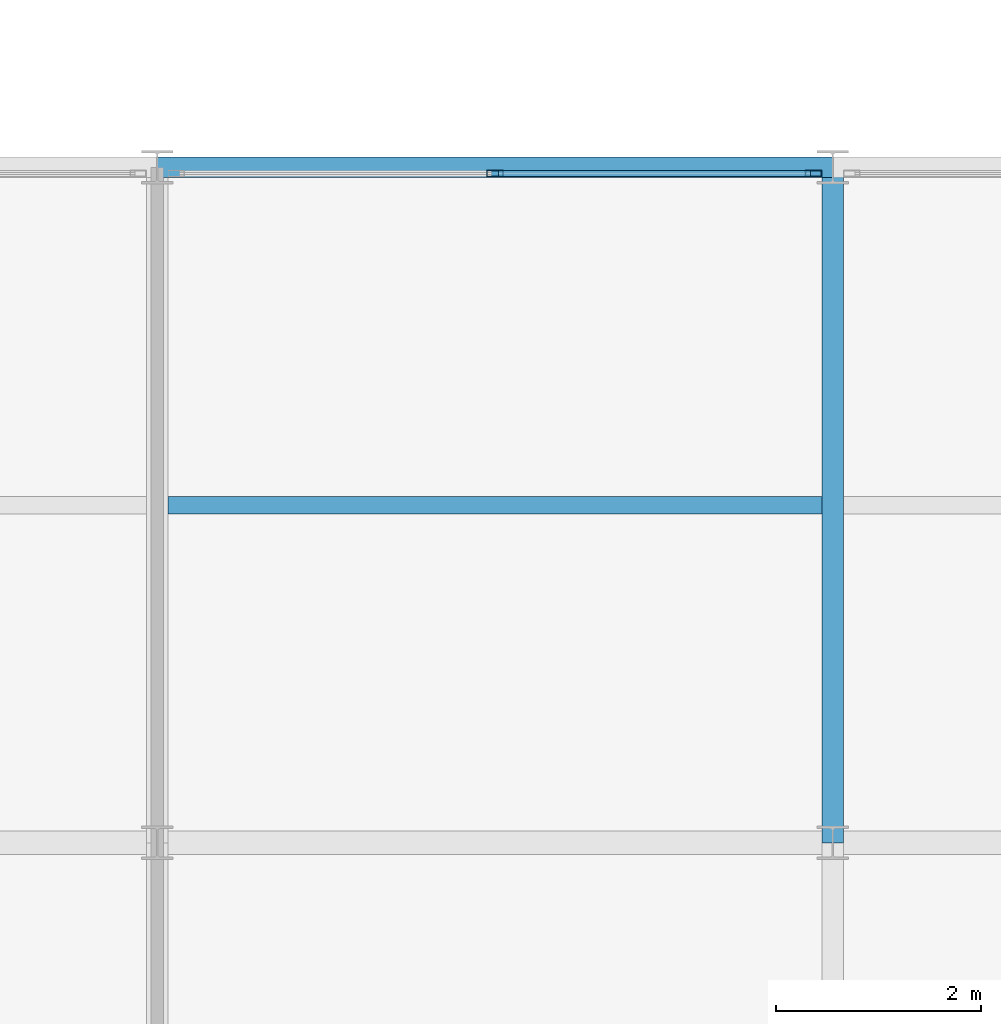
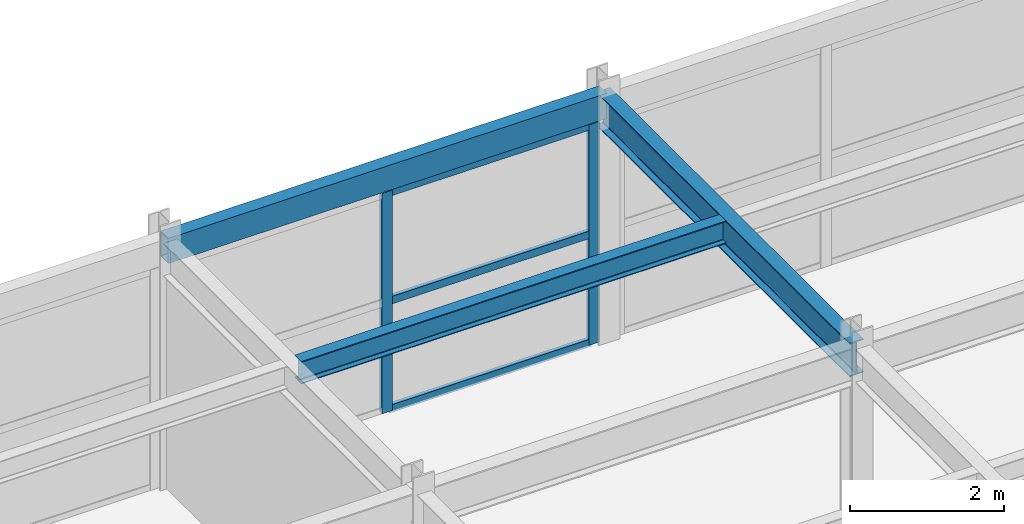
# One storey, part 45 of 106: 5 members, 3 beams, 1 element without a shape of its own.
"""IFC4 building model written with IfcOpenShell, lengths in metres."""

from ifc_helpers import new_model, si_unit, direction, frame, origin, origin_2d, place, context, subcontext, project, spatial, hollow_rectangle, i_section, extrude, material, material_profile, profile_set, type_object, element, aggregate, save


model = new_model("IFC4")

# Units and contexts
model_context = context("Model", 3, precision=1e-05, world=origin(), true_north=direction((0.0, 1.0)))
body_context = subcontext(model_context, "Body", "Model", "MODEL_VIEW")
ifc_project = project(units=[si_unit("LENGTHUNIT", "METRE"), si_unit("AREAUNIT", "SQUARE_METRE"), si_unit("VOLUMEUNIT", "CUBIC_METRE"), si_unit("PLANEANGLEUNIT", "RADIAN"), si_unit("MASSUNIT", "GRAM", prefix="KILO")], contexts=[model_context])

# Site, building, storey
site_placement = place(None, origin())
site = spatial("IfcSite", under=ifc_project, at=site_placement, CompositionType="ELEMENT")
building_placement = place(site_placement, origin())
building = spatial("IfcBuilding", under=site, at=building_placement, Name="Karori Crest Natural Sciences Institute", CompositionType="ELEMENT")
storey_placement = place(building_placement, frame((0.0, 0.0, 25.89990234375)))
storey = spatial("IfcBuildingStorey", under=building, at=storey_placement, Name="L06", CompositionType="ELEMENT", Elevation=25.89990234375)

# Beams
ifc_material_1 = material(Name="Structural steel AS/NZS 3679.1 Grade 350", Category="steel")
ifc_material_profile_1 = material_profile(ifc_material_1, i_section(OverallWidth=0.208984375, OverallDepth=0.532958984375, WebThickness=0.01025390625, FlangeThickness=0.015625, FilletRadius=0.013916015625, at=origin_2d()), Name="530UB92.4")
ifc_profile_set_1 = profile_set([ifc_material_profile_1], Name="Structural steel AS/NZS 3679.1 Grade 350")
beam_type_1 = type_object("IfcBeamType", Name="BT-05", PredefinedType="BEAM", material=ifc_profile_set_1)
beam_1_placement = place(storey_placement, frame((123.39990234375, 14.0, 3.653564453125), z_axis=(0.0, 1.0, 0.0), x_axis=(-1.0, 0.0, 0.0)))
element("IfcBeam", 1, at=beam_1_placement, inside=storey, type_object=beam_type_1, Name="Beam B-2582", PredefinedType="BEAM", context=body_context, shape_type="SweptSolid", body=[
    extrude(i_section(OverallWidth=0.208984375, OverallDepth=0.532958984375, WebThickness=0.01025390625, FlangeThickness=0.015625, FilletRadius=0.013916015625, at=origin_2d()), origin(), (0.0, 0.0, 1.0), 6.60009765625),
])
ifc_material_profile_2 = material_profile(ifc_material_1, i_section(OverallWidth=0.172119140625, OverallDepth=0.35888671875, WebThickness=0.008056640625, FlangeThickness=0.012939453125, FilletRadius=0.010986328125, at=origin_2d()), Name="360UB56.7")
ifc_profile_set_2 = profile_set([ifc_material_profile_2], Name="Structural steel AS/NZS 3679.1 Grade 350")
beam_type_2 = type_object("IfcBeamType", Name="BT-08", PredefinedType="BEAM", material=ifc_profile_set_2)
beam_2_placement = place(storey_placement, frame((116.904541015625, 17.300048828125, 3.740478515625), z_axis=(1.0, 0.0, 0.0), x_axis=(0.0, 1.0, 0.0)))
element("IfcBeam", 2, at=beam_2_placement, inside=storey, type_object=beam_type_2, Name="Beam B-2604", PredefinedType="BEAM", context=body_context, shape_type="SweptSolid", body=[
    extrude(i_section(OverallWidth=0.172119140625, OverallDepth=0.35888671875, WebThickness=0.008056640625, FlangeThickness=0.012939453125, FilletRadius=0.010986328125, at=origin_2d()), origin(), (0.0, 0.0, 1.0), 6.390869140625),
])
ifc_material_2 = material(Name="Hollow structural steel AS/NZS 1163 Grade C350", Category="steel")
ifc_material_profile_3 = material_profile(ifc_material_2, hollow_rectangle(XDim=0.199951171875, YDim=0.39990234375, WallThickness=0.012451171875, at=origin_2d()), Name="RHS400x200x12.5")
ifc_profile_set_3 = profile_set([ifc_material_profile_3], Name="Hollow structural steel AS/NZS 1163 Grade C350")
beam_type_3 = type_object("IfcBeamType", Name="BT-14", PredefinedType="SPANDREL", material=ifc_profile_set_3)
beam_3_placement = place(storey_placement, frame((116.800048828125, 20.60009765625, 3.72021484375), z_axis=(1.0, 0.0, 0.0), x_axis=(0.0, 1.0, 0.0)))
element("IfcBeam", 3, at=beam_3_placement, inside=storey, type_object=beam_type_3, Name="Beam B-2565", PredefinedType="SPANDREL", context=body_context, shape_type="SweptSolid", body=[
    extrude(hollow_rectangle(XDim=0.199951171875, YDim=0.39990234375, WallThickness=0.012451171875, at=origin_2d()), origin(), (0.0, 0.0, 1.0), 6.599853515625),
])

# Curtain wall, members
ifc_material_3 = material(Name="Anodised architectural aluminium 6063-T6", Category="aluminium")
curtain_wall_type = type_object("IfcCurtainWallType", Name="CWT-20", PredefinedType="NOTDEFINED", material=ifc_material_3)
curtain_wall_placement = place(storey_placement, origin())
curtain_wall = element("IfcCurtainWall", 4, at=curtain_wall_placement, inside=storey, type_object=curtain_wall_type, Name="Curtain wall CW-0351", PredefinedType="NOTDEFINED")
ifc_material_profile_4 = material_profile(ifc_material_3, hollow_rectangle(XDim=0.06494140625, YDim=0.159912109375, WallThickness=0.00390625, at=origin_2d()), Name="CWM160x65x4")
ifc_profile_set_4 = profile_set([ifc_material_profile_4], Name="Anodised architectural aluminium 6063-T6")
member_type_1 = type_object("IfcMemberType", Name="CWM-01", PredefinedType="MULLION", material=ifc_profile_set_4)
member_1_placement = place(storey_placement, frame((120.10009765625, 20.5400390625, 0.0), z_axis=(0.0, 0.0, 1.0), x_axis=(0.0, 1.0, 0.0)))
member_1 = element("IfcMember", 5, at=member_1_placement, type_object=member_type_1, Name="CW-0351 mullion 2", PredefinedType="MULLION", context=body_context, shape_type="SweptSolid", body=[
    extrude(hollow_rectangle(XDim=0.06494140625, YDim=0.159912109375, WallThickness=0.00390625, at=origin_2d()), origin(), (0.0, 0.0, 1.0), 3.505126953125),
])
member_2_placement = place(storey_placement, frame((123.214111328125, 20.5400390625, 0.0), z_axis=(0.0, 0.0, 1.0), x_axis=(0.0, 1.0, 0.0)))
member_2 = element("IfcMember", 6, at=member_2_placement, type_object=member_type_1, Name="CW-0351 mullion 3", PredefinedType="MULLION", context=body_context, shape_type="SweptSolid", body=[
    extrude(hollow_rectangle(XDim=0.06494140625, YDim=0.159912109375, WallThickness=0.00390625, at=origin_2d()), origin(), (0.0, 0.0, 1.0), 3.505126953125),
])
ifc_material_profile_5 = material_profile(ifc_material_3, hollow_rectangle(XDim=0.06005859375, YDim=0.1201171875, WallThickness=0.00390625, at=origin_2d()), Name="CWT120x60x4")
ifc_profile_set_5 = profile_set([ifc_material_profile_5], Name="Anodised architectural aluminium 6063-T6")
member_type_2 = type_object("IfcMemberType", Name="CWT-TR1", PredefinedType="USERDEFINED", material=ifc_profile_set_5)
member_3_placement = place(storey_placement, frame((120.132568359375, 20.5400390625, 0.030029296875), z_axis=(1.0, 0.0, 0.0), x_axis=(0.0, 1.0, 0.0)))
member_3 = element("IfcMember", 7, at=member_3_placement, type_object=member_type_2, Name="CW-0351 transom 2.1", ObjectType="TRANSOM", PredefinedType="USERDEFINED", context=body_context, shape_type="SweptSolid", body=[
    extrude(hollow_rectangle(XDim=0.06005859375, YDim=0.1201171875, WallThickness=0.00390625, at=origin_2d()), origin(), (0.0, 0.0, 1.0), 3.048828125),
])
member_4_placement = place(storey_placement, frame((120.132568359375, 20.5400390625, 1.752685546875), z_axis=(1.0, 0.0, 0.0), x_axis=(0.0, 1.0, 0.0)))
member_4 = element("IfcMember", 8, at=member_4_placement, type_object=member_type_2, Name="CW-0351 transom 2.2", ObjectType="TRANSOM", PredefinedType="USERDEFINED", context=body_context, shape_type="SweptSolid", body=[
    extrude(hollow_rectangle(XDim=0.06005859375, YDim=0.1201171875, WallThickness=0.00390625, at=origin_2d()), origin(), (0.0, 0.0, 1.0), 3.048828125),
])
member_5_placement = place(storey_placement, frame((120.132568359375, 20.5400390625, 3.47509765625), z_axis=(1.0, 0.0, 0.0), x_axis=(0.0, 1.0, 0.0)))
member_5 = element("IfcMember", 9, at=member_5_placement, type_object=member_type_2, Name="CW-0351 transom 2.3", ObjectType="TRANSOM", PredefinedType="USERDEFINED", context=body_context, shape_type="SweptSolid", body=[
    extrude(hollow_rectangle(XDim=0.06005859375, YDim=0.1201171875, WallThickness=0.00390625, at=origin_2d()), origin(), (0.0, 0.0, 1.0), 3.048828125),
])
aggregate(curtain_wall, [member_1, member_2, member_3, member_4, member_5])

save(model, "model.ifc")
